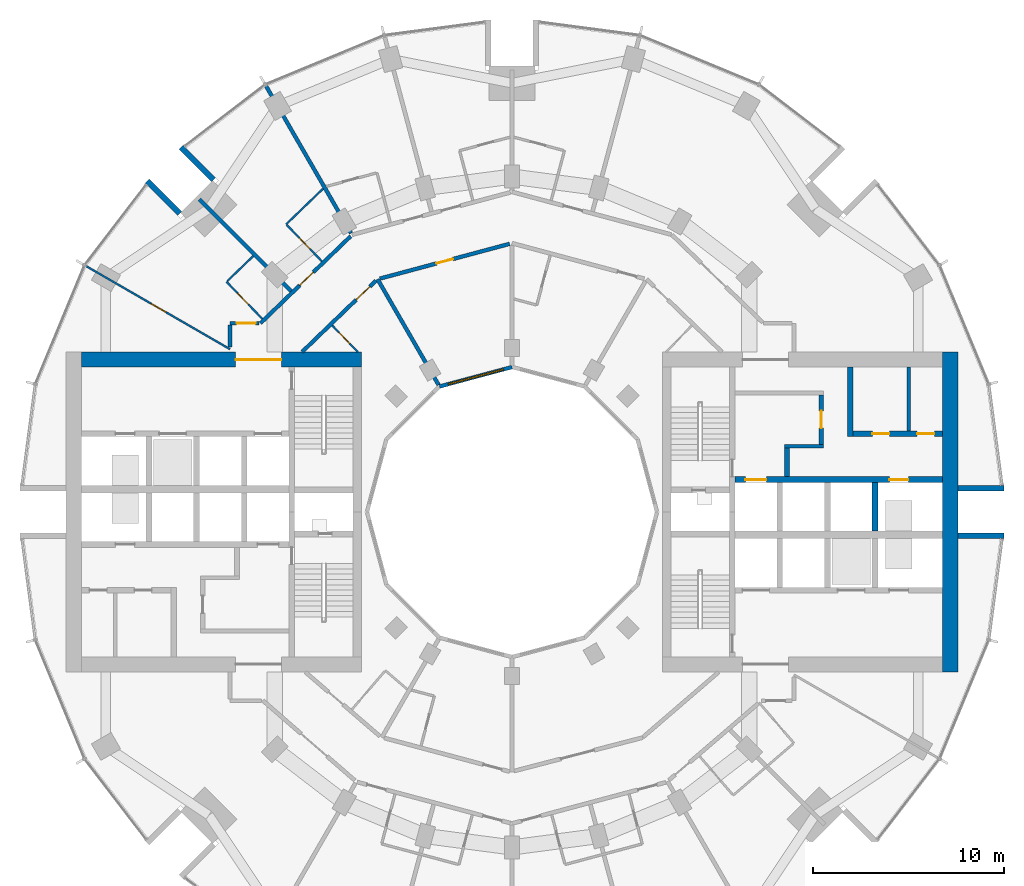
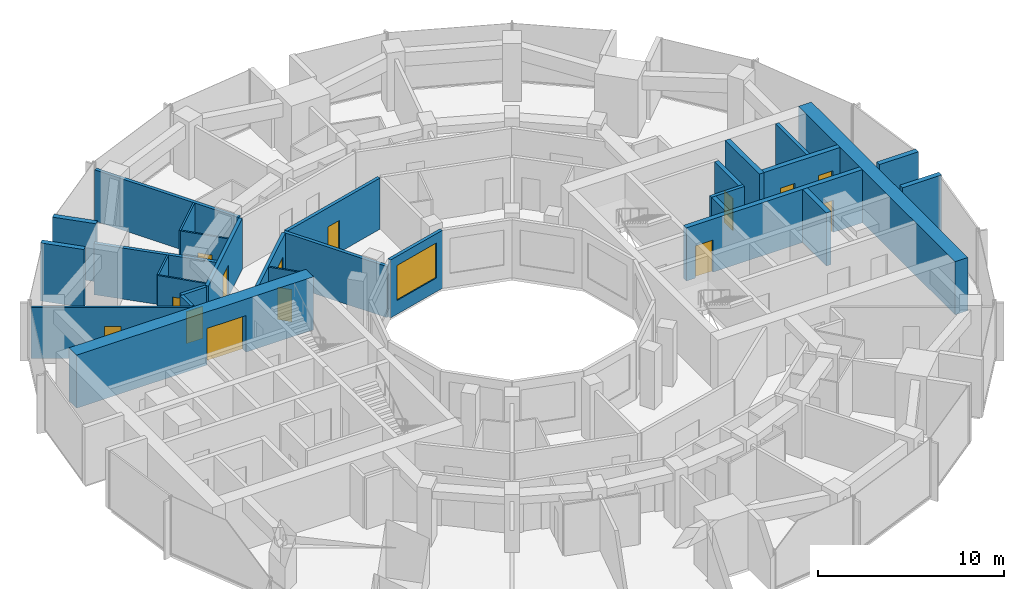
# One storey, part 11 of 15: 29 walls, 14 doors, 1 window, 15 openings.
"""IFC4 building model written with IfcOpenShell, lengths in metres."""

import ifcopenshell
import ifcopenshell.guid

model = None  # the IFC model being written
_history = None  # IfcOwnerHistory: only IFC2X3 demands one
_inside = {}  # id of a spatial element -> (the spatial element, [elements in it])
_under = {}  # id of a project, library or spatial element -> (it, [spatial elements below it])
_declared = {}  # id of a project -> (the project, [libraries it declares])
_typed = {}  # id of a type object -> (the type object, [elements of that type])
_made_of = {}  # id of a material, layer set ... -> (it, [elements and type objects made of it])


def new_model(schema):
    """Start an empty IFC model of exactly this schema.

    Asked for "IFC4X3", IfcOpenShell would pick the latest addendum, in which some entities
    have other attributes; the version numbers below select the first issue.
    IFC2X3 requires an IfcOwnerHistory on every rooted entity: one is made here for all.
    """
    global model, _history
    if schema == "IFC4X3":
        model = ifcopenshell.file(schema_version=(4, 3, 0, 0))
    else:
        model = ifcopenshell.file(schema=schema)
    _inside.clear()
    _under.clear()
    _declared.clear()
    _typed.clear()
    _made_of.clear()
    _history = None
    if model.schema == "IFC2X3":
        org = make("IfcOrganization", Name="unknown")
        user = make(
            "IfcPersonAndOrganization",
            ThePerson=make("IfcPerson", FamilyName="unknown"),
            TheOrganization=org,
        )
        app = make(
            "IfcApplication",
            ApplicationDeveloper=org,
            Version="unknown",
            ApplicationFullName="unknown",
            ApplicationIdentifier="unknown",
        )
        _history = make(
            "IfcOwnerHistory",
            OwningUser=user,
            OwningApplication=app,
            ChangeAction="ADDED",
            CreationDate=0,
        )
    return model


def make(cls, **values):
    """One entity of the class cls with the attributes given. An attribute that is None is left unset."""
    return model.create_entity(
        cls, **{name: value for name, value in values.items() if value is not None}
    )


def rooted(cls, **values):
    """An entity with a GlobalId (a new one), such as an element, a storey or a relation."""
    return make(cls, GlobalId=ifcopenshell.guid.new(), OwnerHistory=_history, **values)


def si_unit(unit_type, name, prefix=None):
    """IfcSIUnit, for example si_unit("LENGTHUNIT", "METRE", prefix="MILLI")."""
    return make("IfcSIUnit", UnitType=unit_type, Prefix=prefix, Name=name)


def assignment(units):
    """IfcUnitAssignment: the units of a project."""
    return None if units is None else make("IfcUnitAssignment", Units=units)


def point(xyz):
    """IfcCartesianPoint."""
    return None if xyz is None else make("IfcCartesianPoint", Coordinates=xyz)


def direction(xyz):
    """IfcDirection."""
    return None if xyz is None else make("IfcDirection", DirectionRatios=xyz)


def frame(location, z_axis=None, x_axis=None):
    """IfcAxis2Placement3D, a coordinate frame: its origin and axes. An axis left out is left unset."""
    return make(
        "IfcAxis2Placement3D",
        Location=point(location),
        Axis=direction(z_axis),
        RefDirection=direction(x_axis),
    )


def frame_2d(location, x_axis=None):
    """IfcAxis2Placement2D, a coordinate frame in the plane: its origin and x axis."""
    return make(
        "IfcAxis2Placement2D", Location=point(location), RefDirection=direction(x_axis)
    )


def origin():
    """The frame at (0, 0, 0) with its axes left unset."""
    return frame((0.0, 0.0, 0.0))


def place(relative_to, where):
    """IfcLocalPlacement: puts the frame where relative to a parent placement (None: the world)."""
    return make(
        "IfcLocalPlacement", PlacementRelTo=relative_to, RelativePlacement=where
    )


def context(
    kind, dimensions, precision=None, world=None, true_north=None, identifier=None
):
    """IfcGeometricRepresentationContext, for example the 3D "Model" context."""
    return make(
        "IfcGeometricRepresentationContext",
        ContextIdentifier=identifier,
        ContextType=kind,
        CoordinateSpaceDimension=dimensions,
        Precision=precision,
        WorldCoordinateSystem=world,
        TrueNorth=true_north,
    )


def subcontext(parent, identifier, kind, view, scale=None):
    """IfcGeometricRepresentationSubContext, for example "Body" below "Model"."""
    return make(
        "IfcGeometricRepresentationSubContext",
        ContextIdentifier=identifier,
        ContextType=kind,
        ParentContext=parent,
        TargetScale=scale,
        TargetView=view,
    )


def project(units=None, contexts=None):
    """IfcProject with its units and contexts."""
    return rooted(
        "IfcProject",
        Name="project",
        RepresentationContexts=contexts,
        UnitsInContext=assignment(units),
    )


def spatial(cls, under=None, at=None, **own):
    """A site, building, storey or space (cls), placed at a placement, below another one or the project."""
    s = rooted(cls, ObjectPlacement=at, **own)
    if under is not None:
        _under.setdefault(under.id(), (under, []))[1].append(s)
    return s


def profile(cls, at=None, kind="AREA", **sizes):
    """A parametric profile (cls). Its sizes go by their IFC names, for example OverallWidth=200.0."""
    return make(cls, ProfileType=kind, Position=at, **sizes)


def rectangle(**sizes):
    """IfcRectangleProfileDef."""
    return profile("IfcRectangleProfileDef", **sizes)


def extrude(swept, where, along, depth):
    """IfcExtrudedAreaSolid: the profile swept, set in the frame where, extruded along a direction by depth."""
    return make(
        "IfcExtrudedAreaSolid",
        SweptArea=swept,
        Position=where,
        ExtrudedDirection=direction(along),
        Depth=depth,
    )


def shape(context_of_items, identifier, shape_type, items):
    """IfcShapeRepresentation: the items that make up one representation, for example the "Body"."""
    return make(
        "IfcShapeRepresentation",
        ContextOfItems=context_of_items,
        RepresentationIdentifier=identifier,
        RepresentationType=shape_type,
        Items=items,
    )


def material(Name=None, Category=None):
    """IfcMaterial."""
    return make("IfcMaterial", Name=Name, Category=Category)


def layer(
    of_material, thickness, ventilated=None, Name=None, Category=None, Priority=None
):
    """IfcMaterialLayer: one layer of a wall or slab, of a material (None: an air gap)."""
    return make(
        "IfcMaterialLayer",
        Material=of_material,
        LayerThickness=thickness,
        IsVentilated=ventilated,
        Name=Name,
        Category=Category,
        Priority=Priority,
    )


def layer_set(layers, Name=None):
    """IfcMaterialLayerSet."""
    return make("IfcMaterialLayerSet", MaterialLayers=layers, LayerSetName=Name)


def made_of(thing, what):
    """Note that an element or type object is made of a material, layer set ...; save() writes the relation."""
    if what is not None:
        _made_of.setdefault(what.id(), (what, []))[1].append(thing)
    return thing


def type_object(cls, material=None, **own):
    """A type object (cls), such as IfcWallType, which elements share."""
    return made_of(rooted(cls, **own), material)


def element(
    cls,
    number,
    at=None,
    inside=None,
    cuts=None,
    type_object=None,
    material=None,
    context=None,
    identifier="Body",
    shape_type=None,
    held_by="IfcProductDefinitionShape",
    body=None,
    shapes=None,
    **own,
):
    """One element of the class cls, such as IfcWall. Its Tag is "e" and its number.

    at: its placement. inside: the storey or other place that contains it. cuts: it is an
    opening in that element (IfcRelVoidsElement). A single representation is given by context,
    identifier, shape_type and body (its items); several are given by shapes. held_by: the class
    of the entity that holds the representations. save() writes the other relations.
    """
    e = rooted(cls, Tag="e%d" % number, ObjectPlacement=at, **own)
    if body is not None:
        shapes = [shape(context, identifier, shape_type, body)]
    if shapes is not None:
        e.Representation = make(held_by, Representations=shapes)
    if inside is not None:
        _inside.setdefault(inside.id(), (inside, []))[1].append(e)
    if cuts is not None:
        rooted(
            "IfcRelVoidsElement", RelatingBuildingElement=cuts, RelatedOpeningElement=e
        )
    if type_object is not None:
        _typed.setdefault(type_object.id(), (type_object, []))[1].append(e)
    return made_of(e, material)


def fill(opening, filler):
    """IfcRelFillsElement: the door or window that sits in an opening."""
    return rooted(
        "IfcRelFillsElement",
        RelatingOpeningElement=opening,
        RelatedBuildingElement=filler,
    )


def aggregate(whole, parts):
    """IfcRelAggregates: a whole, such as a stair, and the parts it consists of."""
    return rooted("IfcRelAggregates", RelatingObject=whole, RelatedObjects=parts)


def save(model, path):
    """Write the relations noted so far, then the file.

    IfcRelAggregates (storeys below a building ...), IfcRelContainedInSpatialStructure (elements
    in a storey), IfcRelDefinesByType, IfcRelAssociatesMaterial and IfcRelDeclares: one each for
    every whole, place, type object, material and project.
    """
    for whole, parts in _under.values():
        aggregate(whole, parts)
    for where, things in _inside.values():
        rooted(
            "IfcRelContainedInSpatialStructure",
            RelatedElements=things,
            RelatingStructure=where,
        )
    for kind, things in _typed.values():
        rooted("IfcRelDefinesByType", RelatedObjects=things, RelatingType=kind)
    for what, things in _made_of.values():
        rooted("IfcRelAssociatesMaterial", RelatedObjects=things, RelatingMaterial=what)
    for by, libraries in _declared.values():
        rooted("IfcRelDeclares", RelatingContext=by, RelatedDefinitions=libraries)
    model.write(path)


model = new_model("IFC4")

# Units and contexts
model_context = context("Model", 3, precision=1e-05, world=origin(), true_north=direction((0.0, 1.0)))
body_context = subcontext(model_context, "Body", "Model", "MODEL_VIEW")
ifc_project = project(units=[si_unit("LENGTHUNIT", "METRE"), si_unit("AREAUNIT", "SQUARE_METRE"), si_unit("VOLUMEUNIT", "CUBIC_METRE"), si_unit("PLANEANGLEUNIT", "RADIAN"), si_unit("MASSUNIT", "GRAM", prefix="KILO")], contexts=[model_context])

# Site, building, storey
site_placement = place(None, origin())
site = spatial("IfcSite", under=ifc_project, at=site_placement, CompositionType="ELEMENT")
building_placement = place(site_placement, origin())
building = spatial("IfcBuilding", under=site, at=building_placement, Name="Torre Brocal", CompositionType="ELEMENT")
storey_placement = place(building_placement, frame((0.0, 0.0, 66.800048828125)))
storey = spatial("IfcBuildingStorey", under=building, at=storey_placement, Name="L15", CompositionType="ELEMENT", Elevation=66.800048828125)

# Walls
ifc_material_1 = material(Name="Masonry block", Category="masonry")
ifc_layer_1 = layer(ifc_material_1, 0.199951171875)
ifc_layer_set_1 = layer_set([ifc_layer_1], Name="Masonry block")
wall_type_1 = type_object("IfcWallType", Name="CORE PARTITION 200", PredefinedType="PARTITIONING", material=ifc_layer_set_1)
wall_1_placement = place(storey_placement, frame((100.81396484375, 79.25, 0.0), z_axis=(0.0, 0.0, 1.0), x_axis=(0.0, 1.0, 0.0)))
element("IfcWall", 1, at=wall_1_placement, inside=storey, type_object=wall_type_1, Name="Wall CP200", PredefinedType="PARTITIONING", context=body_context, shape_type="SweptSolid", body=[
    extrude(rectangle(XDim=3.35009765625, YDim=0.199951171875, at=frame_2d((1.675048828125, 0.0))), origin(), (0.0, 0.0, 1.0), 3.47998046875),
])
ifc_material_2 = material(Name="Concrete C80", Category="concrete")
ifc_layer_2 = layer(ifc_material_2, 0.199951171875)
ifc_layer_set_2 = layer_set([ifc_layer_2], Name="Concrete C80")
wall_type_2 = type_object("IfcWallType", Name="CORE WALL 200 C80", PredefinedType="SHEAR", material=ifc_layer_set_2)
wall_2_placement = place(storey_placement, frame((94.300048828125, 78.449951171875, 0.0), z_axis=(0.0, 0.0, 1.0), x_axis=(1.0, 0.0, 0.0)))
element("IfcWall", 2, at=wall_2_placement, inside=storey, type_object=wall_type_2, Name="Wall CW200-80", PredefinedType="SHEAR", context=body_context, shape_type="SweptSolid", body=[
    extrude(rectangle(XDim=2.050048828125, YDim=0.199951171875, at=frame_2d((1.02490234375, 0.0))), origin(), (0.0, 0.0, 1.0), 3.47998046875),
])

# Wall, opening, door
ifc_material_3 = material(Name="Concrete C80", Category="concrete")
ifc_layer_3 = layer(ifc_material_3, 0.25)
ifc_layer_set_3 = layer_set([ifc_layer_3], Name="Concrete C80")
wall_type_3 = type_object("IfcWallType", Name="CORE WALL 250 C80", PredefinedType="SHEAR", material=ifc_layer_set_3)
wall_3_placement = place(storey_placement, frame((96.22509765625, 78.550048828125, 0.0), z_axis=(0.0, 0.0, 1.0), x_axis=(0.0, 1.0, 0.0)))
wall_3 = element("IfcWall", 3, at=wall_3_placement, inside=storey, type_object=wall_type_3, Name="Wall CW250-80", PredefinedType="SHEAR", context=body_context, shape_type="SweptSolid", body=[
    extrude(rectangle(XDim=2.599853515625, YDim=0.25, at=frame_2d((1.2998046875, 0.0))), origin(), (0.0, 0.0, 1.0), 3.47998046875),
])
opening_1_placement = place(wall_3_placement, frame((0.85009765625, 0.0, 0.0)))
opening_1 = element("IfcOpeningElement", 4, at=opening_1_placement, cuts=wall_3, Name="Opening E-D15", PredefinedType="OPENING", context=body_context, shape_type="SweptSolid", body=[
    extrude(rectangle(XDim=0.89990234375, YDim=2.10009765625, at=frame_2d((0.449951171875, 1.050048828125))), frame((0.0, 0.135009765625, 0.0), z_axis=(0.0, -1.0, 0.0), x_axis=(1.0, 0.0, 0.0)), (0.0, 0.0, 1.0), 0.27001953125),
])
ifc_material_4 = material(Name="Steel A653", Category="steel")
door_type_1 = type_object("IfcDoorType", Name="LOBBY DOOR FD120 900X2100", OperationType="SINGLE_SWING_RIGHT", PredefinedType="DOOR", material=ifc_material_4)
door_1_placement = place(opening_1_placement, origin())
door_1 = element("IfcDoor", 5, at=door_1_placement, inside=storey, type_object=door_type_1, Name="Door E-D15", OperationType="SINGLE_SWING_LEFT", OverallHeight=2.10009765625, OverallWidth=0.89990234375, PredefinedType="DOOR", context=body_context, shape_type="SweptSolid", body=[
    extrude(rectangle(XDim=0.89990234375, YDim=2.10009765625, at=frame_2d((0.449951171875, 1.050048828125))), frame((0.0, 0.02490234375, 0.0), z_axis=(0.0, -1.0, 0.0), x_axis=(1.0, 0.0, 0.0)), (0.0, 0.0, 1.0), 0.050048828125),
])
fill(opening_1, door_1)

# Wall
wall_4_placement = place(storey_placement, frame((94.425048828125, 76.85009765625, 0.0), z_axis=(0.0, 0.0, 1.0), x_axis=(0.0, 1.0, 0.0)))
element("IfcWall", 6, at=wall_4_placement, inside=storey, type_object=wall_type_3, Name="Wall CW250-80", PredefinedType="SHEAR", context=body_context, shape_type="SweptSolid", body=[
    extrude(rectangle(XDim=1.5, YDim=0.25, at=frame_2d((0.75, 0.0))), origin(), (0.0, 0.0, 1.0), 3.47998046875),
])

# Wall, openings, doors
ifc_material_5 = material(Name="Concrete C80", Category="concrete")
ifc_layer_4 = layer(ifc_material_5, 0.300048828125)
ifc_layer_set_4 = layer_set([ifc_layer_4], Name="Concrete C80")
wall_type_4 = type_object("IfcWallType", Name="CORE WALL 300 C80", PredefinedType="SHEAR", material=ifc_layer_set_4)
wall_5_placement = place(storey_placement, frame((91.699951171875, 76.699951171875, 0.0), z_axis=(0.0, 0.0, 1.0), x_axis=(1.0, 0.0, 0.0)))
wall_5 = element("IfcWall", 7, at=wall_5_placement, inside=storey, type_object=wall_type_4, Name="Wall CW300-80", PredefinedType="SHEAR", context=body_context, shape_type="SweptSolid", body=[
    extrude(rectangle(XDim=10.900146484375, YDim=0.300048828125, at=frame_2d((5.4501953125, 0.0))), origin(), (0.0, 0.0, 1.0), 3.47998046875),
])
opening_2_placement = place(wall_5_placement, frame((0.550048828125, 0.0, 0.0)))
opening_2 = element("IfcOpeningElement", 8, at=opening_2_placement, cuts=wall_5, Name="Opening LD", PredefinedType="OPENING", context=body_context, shape_type="SweptSolid", body=[
    extrude(rectangle(XDim=1.10009765625, YDim=2.10009765625, at=frame_2d((0.550048828125, 1.050048828125))), frame((0.0, 0.159912109375, 0.0), z_axis=(0.0, -1.0, 0.0), x_axis=(1.0, 0.0, 0.0)), (0.0, 0.0, 1.0), 0.320068359375),
])
opening_3_placement = place(wall_5_placement, frame((8.10009765625, 0.0, 0.0)))
opening_3 = element("IfcOpeningElement", 9, at=opening_3_placement, cuts=wall_5, Name="Opening LD10", PredefinedType="OPENING", context=body_context, shape_type="SweptSolid", body=[
    extrude(rectangle(XDim=1.0, YDim=2.10009765625, at=frame_2d((0.5, 1.050048828125))), frame((0.0, 0.159912109375, 0.0), z_axis=(0.0, -1.0, 0.0), x_axis=(1.0, 0.0, 0.0)), (0.0, 0.0, 1.0), 0.320068359375),
])
ifc_material_6 = material(Name="Stainless steel AISI 316", Category="steel")
door_type_2 = type_object("IfcDoorType", Name="LIFT LANDING DOOR 1000X2100", OperationType="DOUBLE_DOOR_SLIDING", PredefinedType="DOOR", material=ifc_material_6)
door_2_placement = place(opening_3_placement, origin())
door_2 = element("IfcDoor", 10, at=door_2_placement, inside=storey, type_object=door_type_2, Name="Door LD10", OperationType="DOUBLE_DOOR_SLIDING", OverallHeight=2.10009765625, OverallWidth=1.0, PredefinedType="DOOR", context=body_context, shape_type="SweptSolid", body=[
    extrude(rectangle(XDim=1.0, YDim=2.10009765625, at=frame_2d((0.5, 1.050048828125))), frame((0.0, 0.02490234375, 0.0), z_axis=(0.0, -1.0, 0.0), x_axis=(1.0, 0.0, 0.0)), (0.0, 0.0, 1.0), 0.050048828125),
])
fill(opening_3, door_2)
ifc_material_7 = material(Name="Stainless steel AISI 316", Category="steel")
door_type_3 = type_object("IfcDoorType", Name="LIFT LANDING DOOR 1100X2100", OperationType="DOUBLE_DOOR_SLIDING", PredefinedType="DOOR", material=ifc_material_7)
door_3_placement = place(opening_2_placement, origin())
door_3 = element("IfcDoor", 11, at=door_3_placement, inside=storey, type_object=door_type_3, Name="Door LD", OperationType="DOUBLE_DOOR_SLIDING", OverallHeight=2.10009765625, OverallWidth=1.10009765625, PredefinedType="DOOR", context=body_context, shape_type="SweptSolid", body=[
    extrude(rectangle(XDim=1.10009765625, YDim=2.10009765625, at=frame_2d((0.550048828125, 1.050048828125))), frame((0.0, 0.02490234375, 0.0), z_axis=(0.0, -1.0, 0.0), x_axis=(1.0, 0.0, 0.0)), (0.0, 0.0, 1.0), 0.050048828125),
])
fill(opening_2, door_3)

# Walls
wall_6_placement = place(storey_placement, frame((99.050048828125, 74.0, 0.0), z_axis=(0.0, 0.0, 1.0), x_axis=(0.0, 1.0, 0.0)))
element("IfcWall", 12, at=wall_6_placement, inside=storey, type_object=wall_type_4, Name="Wall CW300-80", PredefinedType="SHEAR", context=body_context, shape_type="SweptSolid", body=[
    extrude(rectangle(XDim=2.550048828125, YDim=0.300048828125, at=frame_2d((1.27490234375, 0.0))), origin(), (0.0, 0.0, 1.0), 3.47998046875),
])
wall_7_placement = place(storey_placement, frame((97.75, 78.949951171875, 0.0), z_axis=(0.0, 0.0, 1.0), x_axis=(0.0, 1.0, 0.0)))
element("IfcWall", 13, at=wall_7_placement, inside=storey, type_object=wall_type_4, Name="Wall CW300-80", PredefinedType="SHEAR", context=body_context, shape_type="SweptSolid", body=[
    extrude(rectangle(XDim=3.650146484375, YDim=0.300048828125, at=frame_2d((1.8251953125, 0.0))), origin(), (0.0, 0.0, 1.0), 3.47998046875),
])

# Wall, openings, doors
wall_8_placement = place(storey_placement, frame((97.89990234375, 79.10009765625, 0.0), z_axis=(0.0, 0.0, 1.0), x_axis=(1.0, 0.0, 0.0)))
wall_8 = element("IfcWall", 14, at=wall_8_placement, inside=storey, type_object=wall_type_4, Name="Wall CW300-80", PredefinedType="SHEAR", context=body_context, shape_type="SweptSolid", body=[
    extrude(rectangle(XDim=4.7001953125, YDim=0.300048828125, at=frame_2d((2.35009765625, 0.0))), origin(), (0.0, 0.0, 1.0), 3.47998046875),
])
opening_4_placement = place(wall_8_placement, frame((1.007080078125, 0.0, 0.0)))
opening_4 = element("IfcOpeningElement", 15, at=opening_4_placement, cuts=wall_8, Name="Opening E-D05", PredefinedType="OPENING", context=body_context, shape_type="SweptSolid", body=[
    extrude(rectangle(XDim=0.89990234375, YDim=2.10009765625, at=frame_2d((0.449951171875, 1.050048828125))), frame((0.0, 0.159912109375, 0.0), z_axis=(0.0, -1.0, 0.0), x_axis=(1.0, 0.0, 0.0)), (0.0, 0.0, 1.0), 0.320068359375),
])
opening_5_placement = place(wall_8_placement, frame((3.35693359375, 0.0, 0.0)))
opening_5 = element("IfcOpeningElement", 16, at=opening_5_placement, cuts=wall_8, Name="Opening E-D06", PredefinedType="OPENING", context=body_context, shape_type="SweptSolid", body=[
    extrude(rectangle(XDim=0.89990234375, YDim=2.10009765625, at=frame_2d((0.449951171875, 1.050048828125))), frame((0.0, 0.159912109375, 0.0), z_axis=(0.0, -1.0, 0.0), x_axis=(1.0, 0.0, 0.0)), (0.0, 0.0, 1.0), 0.320068359375),
])
ifc_material_8 = material(Name="Steel A653", Category="steel")
door_type_4 = type_object("IfcDoorType", Name="ROOM DOOR FD30S 900X2100", OperationType="SINGLE_SWING_LEFT", PredefinedType="DOOR", material=ifc_material_8)
door_4_placement = place(opening_4_placement, origin())
door_4 = element("IfcDoor", 17, at=door_4_placement, inside=storey, type_object=door_type_4, Name="Door E-D05", OperationType="SINGLE_SWING_RIGHT", OverallHeight=2.10009765625, OverallWidth=0.89990234375, PredefinedType="DOOR", context=body_context, shape_type="SweptSolid", body=[
    extrude(rectangle(XDim=0.89990234375, YDim=2.10009765625, at=frame_2d((0.449951171875, 1.050048828125))), frame((0.0, 0.02490234375, 0.0), z_axis=(0.0, -1.0, 0.0), x_axis=(1.0, 0.0, 0.0)), (0.0, 0.0, 1.0), 0.050048828125),
])
fill(opening_4, door_4)
door_5_placement = place(opening_5_placement, origin())
door_5 = element("IfcDoor", 18, at=door_5_placement, inside=storey, type_object=door_type_4, Name="Door E-D06", OperationType="SINGLE_SWING_LEFT", OverallHeight=2.10009765625, OverallWidth=0.89990234375, PredefinedType="DOOR", context=body_context, shape_type="SweptSolid", body=[
    extrude(rectangle(XDim=0.89990234375, YDim=2.10009765625, at=frame_2d((0.449951171875, 1.050048828125))), frame((0.0, 0.02490234375, 0.0), z_axis=(0.0, -1.0, 0.0), x_axis=(1.0, 0.0, 0.0)), (0.0, 0.0, 1.0), 0.050048828125),
])
fill(opening_5, door_5)

# Wall
ifc_material_9 = material(Name="Concrete C80", Category="concrete")
ifc_layer_5 = layer(ifc_material_9, 0.800048828125)
ifc_layer_set_5 = layer_set([ifc_layer_5], Name="Concrete C80")
wall_type_5 = type_object("IfcWallType", Name="CORE WALL 800 C80", PredefinedType="SHEAR", material=ifc_layer_set_5)
wall_9_placement = place(storey_placement, frame((103.0, 66.60009765625, 0.0), z_axis=(0.0, 0.0, 1.0), x_axis=(0.0, 1.0, 0.0)))
element("IfcWall", 19, at=wall_9_placement, inside=storey, type_object=wall_type_5, Name="Wall CW800-80", PredefinedType="SHEAR", context=body_context, shape_type="SweptSolid", body=[
    extrude(rectangle(XDim=16.7998046875, YDim=0.800048828125, at=frame_2d((8.39990234375, 0.0))), origin(), (0.0, 0.0, 1.0), 3.47998046875),
])

# Wall, opening, door
wall_10_placement = place(storey_placement, frame((72.10009765625, 83.0, 0.0), z_axis=(0.0, 0.0, 1.0), x_axis=(-1.0, 0.0, 0.0)))
wall_10 = element("IfcWall", 20, at=wall_10_placement, inside=storey, type_object=wall_type_5, Name="Wall CW800-80", PredefinedType="SHEAR", context=body_context, shape_type="SweptSolid", body=[
    extrude(rectangle(XDim=14.7001953125, YDim=0.800048828125, at=frame_2d((7.35009765625, 0.0))), origin(), (0.0, 0.0, 1.0), 3.47998046875),
])
opening_6_placement = place(wall_10_placement, frame((4.199951171875, 0.0, 0.0)))
opening_6 = element("IfcOpeningElement", 21, at=opening_6_placement, cuts=wall_10, Name="Opening W-D27", PredefinedType="OPENING", context=body_context, shape_type="SweptSolid", body=[
    extrude(rectangle(XDim=2.39990234375, YDim=2.39990234375, at=frame_2d((1.199951171875, 1.199951171875))), frame((0.0, 0.409912109375, 0.0), z_axis=(0.0, -1.0, 0.0), x_axis=(1.0, 0.0, 0.0)), (0.0, 0.0, 1.0), 0.820068359375),
])
ifc_material_10 = material(Name="Steel A653", Category="steel")
door_type_5 = type_object("IfcDoorType", Name="DOUBLE FIRE DOOR FD90 2400X2400", OperationType="DOUBLE_DOOR_SINGLE_SWING", PredefinedType="DOOR", material=ifc_material_10)
door_6_placement = place(opening_6_placement, origin())
door_6 = element("IfcDoor", 22, at=door_6_placement, inside=storey, type_object=door_type_5, Name="Door W-D27", OperationType="DOUBLE_DOOR_SINGLE_SWING", OverallHeight=2.39990234375, OverallWidth=2.39990234375, PredefinedType="DOOR", context=body_context, shape_type="SweptSolid", body=[
    extrude(rectangle(XDim=2.39990234375, YDim=2.39990234375, at=frame_2d((1.199951171875, 1.199951171875))), frame((0.0, 0.02490234375, 0.0), z_axis=(0.0, -1.0, 0.0), x_axis=(1.0, 0.0, 0.0)), (0.0, 0.0, 1.0), 0.050048828125),
])
fill(opening_6, door_6)

# Walls
ifc_material_11 = material(Name="Concrete C80", Category="concrete")
ifc_layer_6 = layer(ifc_material_11, 0.300048828125)
ifc_layer_set_6 = layer_set([ifc_layer_6], Name="Concrete C80")
wall_type_6 = type_object("IfcWallType", Name="NOTCH RETURN WALL 300 C80", PredefinedType="NOTDEFINED", material=ifc_layer_set_6)
for number, where, z_axis, x_axis, name in (
    (23, (103.39990234375, 73.75, 0.0), (0.0, 0.0, 1.0), (1.0, 0.0, 0.0), "NOTCH RETURN WALL"),
    (24, (103.39990234375, 76.25, 0.0), (0.0, 0.0, 1.0), (1.0, 0.0, 0.0), "NOTCH RETURN WALL"),
    (25, (64.337646484375, 92.43017578125, 0.0), (0.0, 0.0, 1.0), (-0.707106781187, 0.707106781187, 0.0), "NOTCH RETURN WALL"),
    (26, (62.56982421875, 90.662353515625, 0.0), (0.0, 0.0, 1.0), (-0.707106781187, 0.707106781187, 0.0), "NOTCH RETURN WALL"),
):
    element("IfcWall", number, at=place(storey_placement, frame(where, z_axis=z_axis, x_axis=x_axis)), inside=storey, type_object=wall_type_6, Name=name, PredefinedType="NOTDEFINED", context=body_context, shape_type="SweptSolid", body=[
        extrude(rectangle(XDim=2.415771484375, YDim=0.300048828125, at=frame_2d((1.2080078125, 0.0))), origin(), (0.0, 0.0, 1.0), 3.800048828125),
    ])

# Wall, opening, door
ifc_material_12 = material(Name="Gypsum board", Category="Gypsum")
ifc_layer_7 = layer(ifc_material_12, 0.10009765625)
ifc_layer_set_7 = layer_set([ifc_layer_7], Name="Gypsum board")
wall_type_7 = type_object("IfcWallType", Name="PARTITION 100", PredefinedType="PARTITIONING", material=ifc_layer_set_7)
wall_11_placement = place(storey_placement, frame((57.65869140625, 87.89892578125, 0.0), z_axis=(0.0, 0.0, 1.0), x_axis=(0.86602264145, -0.500004784474, 0.0)))
wall_11 = element("IfcWall", 27, at=wall_11_placement, inside=storey, type_object=wall_type_7, Name="ROOM PARTITION", PredefinedType="PARTITIONING", context=body_context, shape_type="SweptSolid", body=[
    extrude(rectangle(XDim=8.7080078125, YDim=0.10009765625, at=frame_2d((4.35400390625, 0.0))), origin(), (0.0, 0.0, 1.0), 3.349853515625),
])
opening_7_placement = place(wall_11_placement, frame((3.928955078125, 0.0, 0.0)))
opening_7 = element("IfcOpeningElement", 28, at=opening_7_placement, cuts=wall_11, Name="Opening H04-D12", PredefinedType="OPENING", context=body_context, shape_type="SweptSolid", body=[
    extrude(rectangle(XDim=0.89990234375, YDim=2.10009765625, at=frame_2d((0.449951171875, 1.050048828125))), frame((0.0, 0.06005859375, 0.0), z_axis=(0.0, -1.0, 0.0), x_axis=(1.0, 0.0, 0.0)), (0.0, 0.0, 1.0), 0.1201171875),
])
ifc_material_13 = material(Name="Timber", Category="wood")
door_type_6 = type_object("IfcDoorType", Name="ROOM DOOR 900X2100", OperationType="SINGLE_SWING_LEFT", PredefinedType="DOOR", material=ifc_material_13)
door_7_placement = place(opening_7_placement, frame((0.89990234375, 0.0, 0.0), z_axis=(0.0, 0.0, 1.0), x_axis=(-1.0, 0.0, 0.0)))
door_7 = element("IfcDoor", 29, at=door_7_placement, inside=storey, type_object=door_type_6, Name="H04-D12", OperationType="SINGLE_SWING_LEFT", OverallHeight=2.10009765625, OverallWidth=0.89990234375, PredefinedType="DOOR", context=body_context, shape_type="SweptSolid", body=[
    extrude(rectangle(XDim=0.89990234375, YDim=2.10009765625, at=frame_2d((0.449951171875, 1.050048828125))), frame((0.0, 0.02490234375, 0.0), z_axis=(0.0, -1.0, 0.0), x_axis=(1.0, 0.0, 0.0)), (0.0, 0.0, 1.0), 0.050048828125),
])
fill(opening_7, door_7)

# Wall
wall_12_placement = place(storey_placement, frame((65.058837890625, 87.11376953125, 0.0), z_axis=(0.0, 0.0, 1.0), x_axis=(0.719715847356, 0.694268751324, 0.0)))
element("IfcWall", 30, at=wall_12_placement, inside=storey, type_object=wall_type_7, Name="BATHROOM WALL", PredefinedType="PARTITIONING", context=body_context, shape_type="SweptSolid", body=[
    extrude(rectangle(XDim=1.899658203125, YDim=0.10009765625, at=frame_2d((0.94970703125, 0.0))), origin(), (0.0, 0.0, 1.0), 3.349853515625),
])

# Wall, opening, door
wall_13_placement = place(storey_placement, frame((65.02294921875, 87.0791015625, 0.0), z_axis=(0.0, 0.0, 1.0), x_axis=(0.694287838235, -0.719697434815, 0.0)))
wall_13 = element("IfcWall", 31, at=wall_13_placement, inside=storey, type_object=wall_type_7, Name="BATHROOM WALL", PredefinedType="PARTITIONING", context=body_context, shape_type="SweptSolid", body=[
    extrude(rectangle(XDim=2.699951171875, YDim=0.10009765625, at=frame_2d((1.35009765625, 0.0))), origin(), (0.0, 0.0, 1.0), 3.349853515625),
])
opening_8_placement = place(wall_13_placement, frame((0.849853515625, 0.0, 0.0)))
opening_8 = element("IfcOpeningElement", 32, at=opening_8_placement, cuts=wall_13, Name="Opening H04-D11", PredefinedType="OPENING", context=body_context, shape_type="SweptSolid", body=[
    extrude(rectangle(XDim=0.800048828125, YDim=2.10009765625, at=frame_2d((0.39990234375, 1.050048828125))), frame((0.0, 0.06005859375, 0.0), z_axis=(0.0, -1.0, 0.0), x_axis=(1.0, 0.0, 0.0)), (0.0, 0.0, 1.0), 0.1201171875),
])
ifc_material_14 = material(Name="Timber", Category="wood")
door_type_7 = type_object("IfcDoorType", Name="BATHROOM DOOR 800X2100", OperationType="SINGLE_SWING_LEFT", PredefinedType="DOOR", material=ifc_material_14)
door_8_placement = place(opening_8_placement, origin())
door_8 = element("IfcDoor", 33, at=door_8_placement, inside=storey, type_object=door_type_7, Name="H04-D11", OperationType="SINGLE_SWING_LEFT", OverallHeight=2.10009765625, OverallWidth=0.800048828125, PredefinedType="DOOR", context=body_context, shape_type="SweptSolid", body=[
    extrude(rectangle(XDim=0.800048828125, YDim=2.10009765625, at=frame_2d((0.39990234375, 1.050048828125))), frame((0.0, 0.02490234375, 0.0), z_axis=(0.0, -1.0, 0.0), x_axis=(1.0, 0.0, 0.0)), (0.0, 0.0, 1.0), 0.050048828125),
])
fill(opening_8, door_8)

wall_14_placement = place(storey_placement, frame((68.184814453125, 90.06005859375, 0.0), z_axis=(0.0, 0.0, 1.0), x_axis=(0.69446127412, -0.719530081892, 0.0)))
wall_14 = element("IfcWall", 34, at=wall_14_placement, inside=storey, type_object=wall_type_7, Name="BATHROOM WALL", PredefinedType="PARTITIONING", context=body_context, shape_type="SweptSolid", body=[
    extrude(rectangle(XDim=2.64892578125, YDim=0.10009765625, at=frame_2d((1.324462890625, 0.0))), origin(), (0.0, 0.0, 1.0), 3.349853515625),
])
opening_9_placement = place(wall_14_placement, frame((0.94970703125, 0.0, 0.0)))
opening_9 = element("IfcOpeningElement", 35, at=opening_9_placement, cuts=wall_14, Name="Opening H04-D09", PredefinedType="OPENING", context=body_context, shape_type="SweptSolid", body=[
    extrude(rectangle(XDim=0.800048828125, YDim=2.10009765625, at=frame_2d((0.39990234375, 1.050048828125))), frame((0.0, 0.06005859375, 0.0), z_axis=(0.0, -1.0, 0.0), x_axis=(1.0, 0.0, 0.0)), (0.0, 0.0, 1.0), 0.1201171875),
])
door_9_placement = place(opening_9_placement, origin())
door_9 = element("IfcDoor", 36, at=door_9_placement, inside=storey, type_object=door_type_7, Name="H04-D09", OperationType="SINGLE_SWING_RIGHT", OverallHeight=2.10009765625, OverallWidth=0.800048828125, PredefinedType="DOOR", context=body_context, shape_type="SweptSolid", body=[
    extrude(rectangle(XDim=0.800048828125, YDim=2.10009765625, at=frame_2d((0.39990234375, 1.050048828125))), frame((0.0, 0.02490234375, 0.0), z_axis=(0.0, -1.0, 0.0), x_axis=(1.0, 0.0, 0.0)), (0.0, 0.0, 1.0), 0.050048828125),
])
fill(opening_9, door_9)

# Wall
wall_15_placement = place(storey_placement, frame((68.150146484375, 90.095947265625, 0.0), z_axis=(0.0, 0.0, 1.0), x_axis=(0.719669144226, 0.694317163009, 0.0)))
element("IfcWall", 37, at=wall_15_placement, inside=storey, type_object=wall_type_7, Name="BATHROOM WALL", PredefinedType="PARTITIONING", context=body_context, shape_type="SweptSolid", body=[
    extrude(rectangle(XDim=2.686767578125, YDim=0.10009765625, at=frame_2d((1.34326171875, 0.0))), origin(), (0.0, 0.0, 1.0), 3.349853515625),
])

# Wall, opening, door
wall_16_placement = place(storey_placement, frame((70.5673828125, 84.785888671875, 0.0), z_axis=(0.0, 0.0, 1.0), x_axis=(0.694447472534, -0.719543402368, 0.0)))
wall_16 = element("IfcWall", 38, at=wall_16_placement, inside=storey, type_object=wall_type_7, Name="BATHROOM WALL", PredefinedType="PARTITIONING", context=body_context, shape_type="SweptSolid", body=[
    extrude(rectangle(XDim=1.92626953125, YDim=0.10009765625, at=frame_2d((0.963134765625, 0.0))), origin(), (0.0, 0.0, 1.0), 3.349853515625),
])
opening_10_placement = place(wall_16_placement, frame((0.51318359375, 0.0, 0.0)))
opening_10 = element("IfcOpeningElement", 39, at=opening_10_placement, cuts=wall_16, Name="Opening H04-D19", PredefinedType="OPENING", context=body_context, shape_type="SweptSolid", body=[
    extrude(rectangle(XDim=0.800048828125, YDim=2.10009765625, at=frame_2d((0.39990234375, 1.050048828125))), frame((0.0, 0.06005859375, 0.0), z_axis=(0.0, -1.0, 0.0), x_axis=(1.0, 0.0, 0.0)), (0.0, 0.0, 1.0), 0.1201171875),
])
door_10_placement = place(opening_10_placement, frame((0.800048828125, 0.0, 0.0), z_axis=(0.0, 0.0, 1.0), x_axis=(-1.0, 0.0, 0.0)))
door_10 = element("IfcDoor", 40, at=door_10_placement, inside=storey, type_object=door_type_7, Name="H04-D19", OperationType="SINGLE_SWING_RIGHT", OverallHeight=2.10009765625, OverallWidth=0.800048828125, PredefinedType="DOOR", context=body_context, shape_type="SweptSolid", body=[
    extrude(rectangle(XDim=0.800048828125, YDim=2.10009765625, at=frame_2d((0.39990234375, 1.050048828125))), frame((0.0, 0.02490234375, 0.0), z_axis=(0.0, -1.0, 0.0), x_axis=(1.0, 0.0, 0.0)), (0.0, 0.0, 1.0), 0.050048828125),
])
fill(opening_10, door_10)

# Walls
ifc_material_15 = material(Name="Gypsum board", Category="Gypsum")
ifc_layer_8 = layer(ifc_material_15, 0.199951171875)
ifc_layer_set_8 = layer_set([ifc_layer_8], Name="Gypsum board")
wall_type_8 = type_object("IfcWallType", Name="PARTITION 200 EI60", PredefinedType="PARTITIONING", material=ifc_layer_set_8)
wall_17_placement = place(storey_placement, frame((63.59765625, 91.4072265625, 0.0), z_axis=(0.0, 0.0, 1.0), x_axis=(0.706981202484, -0.707232337591, 0.0)))
element("IfcWall", 41, at=wall_17_placement, inside=storey, type_object=wall_type_8, Name="BATHROOM WALL", PredefinedType="PARTITIONING", context=body_context, shape_type="SweptSolid", body=[
    extrude(rectangle(XDim=6.804931640625, YDim=0.199951171875, at=frame_2d((3.40234375, 0.0))), origin(), (0.0, 0.0, 1.0), 3.349853515625),
])
wall_18_placement = place(storey_placement, frame((65.199951171875, 83.64990234375, 0.0), z_axis=(0.0, 0.0, 1.0), x_axis=(0.0, 1.0, 0.0)))
element("IfcWall", 42, at=wall_18_placement, inside=storey, type_object=wall_type_8, Name="GUESTROOM CORRIDOR WALL", PredefinedType="PARTITIONING", context=body_context, shape_type="SweptSolid", body=[
    extrude(rectangle(XDim=1.150146484375, YDim=0.199951171875, at=frame_2d((0.5751953125, 0.0))), origin(), (0.0, 0.0, 1.0), 3.349853515625),
])

# Wall, opening, door
wall_19_placement = place(storey_placement, frame((65.199951171875, 84.89990234375, 0.0), z_axis=(0.0, 0.0, 1.0), x_axis=(1.0, 0.0, 0.0)))
wall_19 = element("IfcWall", 43, at=wall_19_placement, inside=storey, type_object=wall_type_8, Name="GUESTROOM CORRIDOR WALL", PredefinedType="PARTITIONING", context=body_context, shape_type="SweptSolid", body=[
    extrude(rectangle(XDim=1.537109375, YDim=0.199951171875, at=frame_2d((0.7685546875, 0.0))), origin(), (0.0, 0.0, 1.0), 3.349853515625),
])
opening_11_placement = place(wall_19_placement, frame((0.346923828125, 0.0, 0.0)))
opening_11 = element("IfcOpeningElement", 44, at=opening_11_placement, cuts=wall_19, Name="Opening H04-D10", PredefinedType="OPENING", context=body_context, shape_type="SweptSolid", body=[
    extrude(rectangle(XDim=1.0, YDim=2.10009765625, at=frame_2d((0.5, 1.050048828125))), frame((0.0, 0.10986328125, 0.0), z_axis=(0.0, -1.0, 0.0), x_axis=(1.0, 0.0, 0.0)), (0.0, 0.0, 1.0), 0.219970703125),
])
ifc_material_16 = material(Name="Timber", Category="wood")
door_type_8 = type_object("IfcDoorType", Name="FLAT ENTRY DOOR FD30S 1000X2100", OperationType="SINGLE_SWING_RIGHT", PredefinedType="DOOR", material=ifc_material_16)
door_11_placement = place(opening_11_placement, origin())
door_11 = element("IfcDoor", 45, at=door_11_placement, inside=storey, type_object=door_type_8, Name="H04-D10", OperationType="SINGLE_SWING_LEFT", OverallHeight=2.10009765625, OverallWidth=1.0, PredefinedType="DOOR", context=body_context, shape_type="SweptSolid", body=[
    extrude(rectangle(XDim=1.0, YDim=2.10009765625, at=frame_2d((0.5, 1.050048828125))), frame((0.0, 0.02490234375, 0.0), z_axis=(0.0, -1.0, 0.0), x_axis=(1.0, 0.0, 0.0)), (0.0, 0.0, 1.0), 0.050048828125),
])
fill(opening_11, door_11)

wall_20_placement = place(storey_placement, frame((66.796630859375, 84.900390625, 0.0), z_axis=(0.0, 0.0, 1.0), x_axis=(0.719692092412, 0.694293376116, 0.0)))
wall_20 = element("IfcWall", 46, at=wall_20_placement, inside=storey, type_object=wall_type_8, Name="GUESTROOM CORRIDOR WALL", PredefinedType="PARTITIONING", context=body_context, shape_type="SweptSolid", body=[
    extrude(rectangle(XDim=6.58447265625, YDim=0.199951171875, at=frame_2d((3.292236328125, 0.0))), origin(), (0.0, 0.0, 1.0), 3.349853515625),
])
opening_12_placement = place(wall_20_placement, frame((2.8662109375, 0.0, 0.0)))
opening_12 = element("IfcOpeningElement", 47, at=opening_12_placement, cuts=wall_20, Name="Opening H04-D08", PredefinedType="OPENING", context=body_context, shape_type="SweptSolid", body=[
    extrude(rectangle(XDim=1.0, YDim=2.10009765625, at=frame_2d((0.5, 1.050048828125))), frame((0.0, 0.10986328125, 0.0), z_axis=(0.0, -1.0, 0.0), x_axis=(1.0, 0.0, 0.0)), (0.0, 0.0, 1.0), 0.219970703125),
])
door_12_placement = place(opening_12_placement, origin())
door_12 = element("IfcDoor", 48, at=door_12_placement, inside=storey, type_object=door_type_8, Name="H04-D08", OperationType="SINGLE_SWING_LEFT", OverallHeight=2.10009765625, OverallWidth=1.0, PredefinedType="DOOR", context=body_context, shape_type="SweptSolid", body=[
    extrude(rectangle(XDim=1.0, YDim=2.10009765625, at=frame_2d((0.5, 1.050048828125))), frame((0.0, 0.02490234375, 0.0), z_axis=(0.0, -1.0, 0.0), x_axis=(1.0, 0.0, 0.0)), (0.0, 0.0, 1.0), 0.050048828125),
])
fill(opening_12, door_12)

# Wall
wall_21_placement = place(storey_placement, frame((67.101318359375, 97.341552734375, 0.0), z_axis=(0.0, 0.0, 1.0), x_axis=(0.499932813297, -0.866064190571, 0.0)))
element("IfcWall", 49, at=wall_21_placement, inside=storey, type_object=wall_type_8, Name="BATHROOM WALL", PredefinedType="PARTITIONING", context=body_context, shape_type="SweptSolid", body=[
    extrude(rectangle(XDim=8.907958984375, YDim=0.199951171875, at=frame_2d((4.4541015625, 0.0))), origin(), (0.0, 0.0, 1.0), 3.349853515625),
])

# Wall, opening, door
wall_22_placement = place(storey_placement, frame((68.987060546875, 83.39990234375, 0.0), z_axis=(0.0, 0.0, 1.0), x_axis=(0.719591503389, 0.694397629784, 0.0)))
wall_22 = element("IfcWall", 50, at=wall_22_placement, inside=storey, type_object=wall_type_8, Name="GUESTROOM CORRIDOR WALL", PredefinedType="PARTITIONING", context=body_context, shape_type="SweptSolid", body=[
    extrude(rectangle(XDim=5.378173828125, YDim=0.199951171875, at=frame_2d((2.68896484375, 0.0))), origin(), (0.0, 0.0, 1.0), 3.349853515625),
])
opening_13_placement = place(wall_22_placement, frame((3.93798828125, 0.0, 0.0)))
opening_13 = element("IfcOpeningElement", 51, at=opening_13_placement, cuts=wall_22, Name="Opening H04-D18", PredefinedType="OPENING", context=body_context, shape_type="SweptSolid", body=[
    extrude(rectangle(XDim=1.0, YDim=2.10009765625, at=frame_2d((0.5, 1.050048828125))), frame((0.0, 0.10986328125, 0.0), z_axis=(0.0, -1.0, 0.0), x_axis=(1.0, 0.0, 0.0)), (0.0, 0.0, 1.0), 0.219970703125),
])
door_13_placement = place(opening_13_placement, frame((1.0, 0.0, 0.0), z_axis=(0.0, 0.0, 1.0), x_axis=(-1.0, 0.0, 0.0)))
door_13 = element("IfcDoor", 52, at=door_13_placement, inside=storey, type_object=door_type_8, Name="H04-D18", OperationType="SINGLE_SWING_LEFT", OverallHeight=2.10009765625, OverallWidth=1.0, PredefinedType="DOOR", context=body_context, shape_type="SweptSolid", body=[
    extrude(rectangle(XDim=1.0, YDim=2.10009765625, at=frame_2d((0.5, 1.050048828125))), frame((0.0, 0.02490234375, 0.0), z_axis=(0.0, -1.0, 0.0), x_axis=(1.0, 0.0, 0.0)), (0.0, 0.0, 1.0), 0.050048828125),
])
fill(opening_13, door_13)

wall_23_placement = place(storey_placement, frame((73.0712890625, 87.2470703125, 0.0), z_axis=(0.0, 0.0, 1.0), x_axis=(0.965914318977, 0.258861987157, 0.0)))
wall_23 = element("IfcWall", 53, at=wall_23_placement, inside=storey, type_object=wall_type_8, Name="GUESTROOM CORRIDOR WALL", PredefinedType="PARTITIONING", context=body_context, shape_type="SweptSolid", body=[
    extrude(rectangle(XDim=7.043212890625, YDim=0.199951171875, at=frame_2d((3.521484375, 0.0))), origin(), (0.0, 0.0, 1.0), 3.349853515625),
])
opening_14_placement = place(wall_23_placement, frame((3.066650390625, 0.0, 0.0)))
opening_14 = element("IfcOpeningElement", 54, at=opening_14_placement, cuts=wall_23, Name="Opening H04-D17", PredefinedType="OPENING", context=body_context, shape_type="SweptSolid", body=[
    extrude(rectangle(XDim=0.89990234375, YDim=2.10009765625, at=frame_2d((0.449951171875, 1.050048828125))), frame((0.0, 0.10986328125, 0.0), z_axis=(0.0, -1.0, 0.0), x_axis=(1.0, 0.0, 0.0)), (0.0, 0.0, 1.0), 0.219970703125),
])
door_14_placement = place(opening_14_placement, frame((0.89990234375, 0.0, 0.0), z_axis=(0.0, 0.0, 1.0), x_axis=(-1.0, 0.0, 0.0)))
door_14 = element("IfcDoor", 55, at=door_14_placement, inside=storey, type_object=door_type_6, Name="H04-D17", OperationType="SINGLE_SWING_RIGHT", OverallHeight=2.10009765625, OverallWidth=0.89990234375, PredefinedType="DOOR", context=body_context, shape_type="SweptSolid", body=[
    extrude(rectangle(XDim=0.89990234375, YDim=2.10009765625, at=frame_2d((0.449951171875, 1.050048828125))), frame((0.0, 0.02490234375, 0.0), z_axis=(0.0, -1.0, 0.0), x_axis=(1.0, 0.0, 0.0)), (0.0, 0.0, 1.0), 0.050048828125),
])
fill(opening_14, door_14)

# Wall
wall_24_placement = place(storey_placement, frame((72.94775390625, 87.2138671875, 0.0), z_axis=(0.0, 0.0, 1.0), x_axis=(0.499927021214, -0.866067534006, 0.0)))
element("IfcWall", 56, at=wall_24_placement, inside=storey, type_object=wall_type_8, Name="SERVICE ROOM WALL", PredefinedType="PARTITIONING", context=body_context, shape_type="SweptSolid", body=[
    extrude(rectangle(XDim=6.4052734375, YDim=0.199951171875, at=frame_2d((3.20263671875, 0.0))), origin(), (0.0, 0.0, 1.0), 3.349853515625),
])

# Wall, opening, window
ifc_material_17 = material(Name="Concrete C40", Category="concrete")
ifc_layer_9 = layer(ifc_material_17, 0.199951171875)
ifc_layer_set_9 = layer_set([ifc_layer_9], Name="Concrete C40")
wall_type_9 = type_object("IfcWallType", Name="WELL FACADE WALL 200", PredefinedType="NOTDEFINED", material=ifc_layer_set_9)
wall_25_placement = place(storey_placement, frame((80.0, 82.603515625, 0.0), z_axis=(0.0, 0.0, 1.0), x_axis=(-0.965933654434, -0.258789828301, 0.0)))
wall_25 = element("IfcWall", 57, at=wall_25_placement, inside=storey, type_object=wall_type_9, Name="WELL FACADE WALL", PredefinedType="NOTDEFINED", context=body_context, shape_type="SweptSolid", body=[
    extrude(rectangle(XDim=3.935791015625, YDim=0.199951171875, at=frame_2d((1.9677734375, 0.0))), origin(), (0.0, 0.0, 1.0), 3.800048828125),
])
opening_15_placement = place(wall_25_placement, frame((0.468017578125, 0.0, 0.89990234375)))
opening_15 = element("IfcOpeningElement", 58, at=opening_15_placement, cuts=wall_25, Name="Opening W1", PredefinedType="OPENING", context=body_context, shape_type="SweptSolid", body=[
    extrude(rectangle(XDim=3.0, YDim=2.300048828125, at=frame_2d((1.5, 1.14990234375))), frame((0.0, 0.10986328125, 0.0), z_axis=(0.0, -1.0, 0.0), x_axis=(1.0, 0.0, 0.0)), (0.0, 0.0, 1.0), 0.219970703125),
])
ifc_material_18 = material(Name="Aluminium and glass", Category="aluminium")
window_type = type_object("IfcWindowType", Name="WELL WINDOW 3000X2300", PartitioningType="SINGLE_PANEL", PredefinedType="WINDOW", material=ifc_material_18)
window_placement = place(opening_15_placement, origin())
window = element("IfcWindow", 59, at=window_placement, inside=storey, type_object=window_type, Name="WELL WINDOW 3000X2300", OverallHeight=2.300048828125, OverallWidth=3.0, PartitioningType="SINGLE_PANEL", PredefinedType="WINDOW", context=body_context, shape_type="SweptSolid", body=[
    extrude(rectangle(XDim=3.0, YDim=2.300048828125, at=frame_2d((1.5, 1.14990234375))), frame((0.0, 0.030029296875, 0.0), z_axis=(0.0, -1.0, 0.0), x_axis=(1.0, 0.0, 0.0)), (0.0, 0.0, 1.0), 0.06005859375),
])
fill(opening_15, window)

save(model, "model.ifc")
